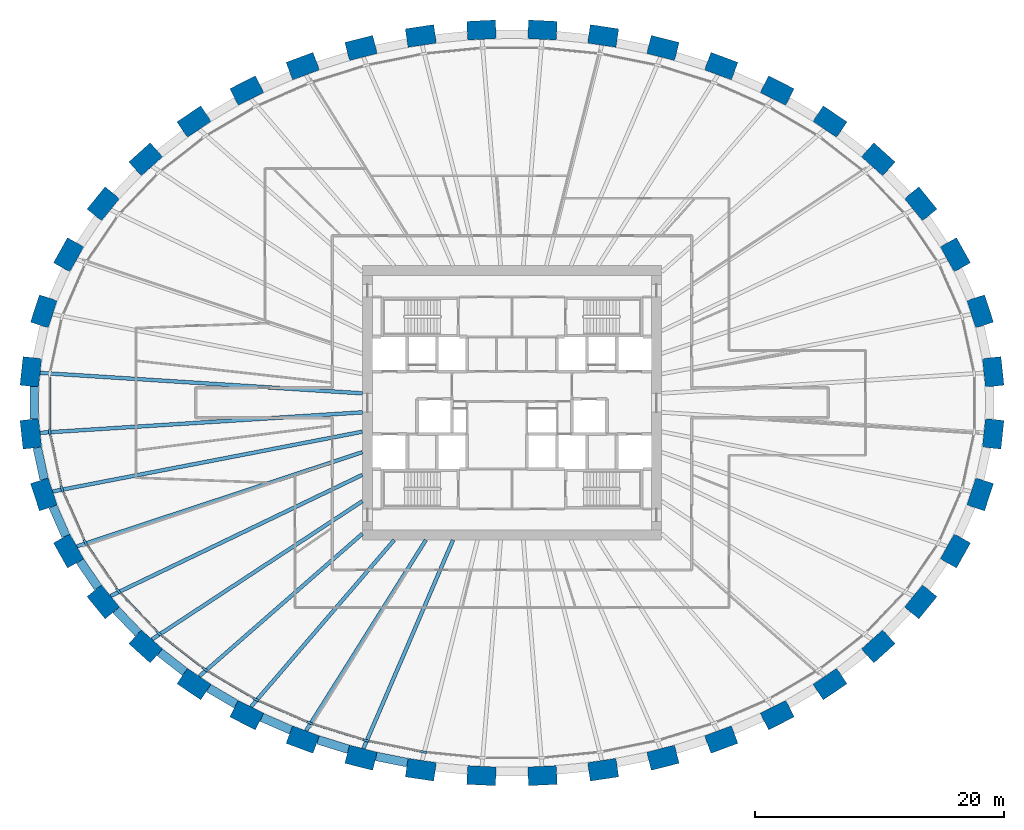
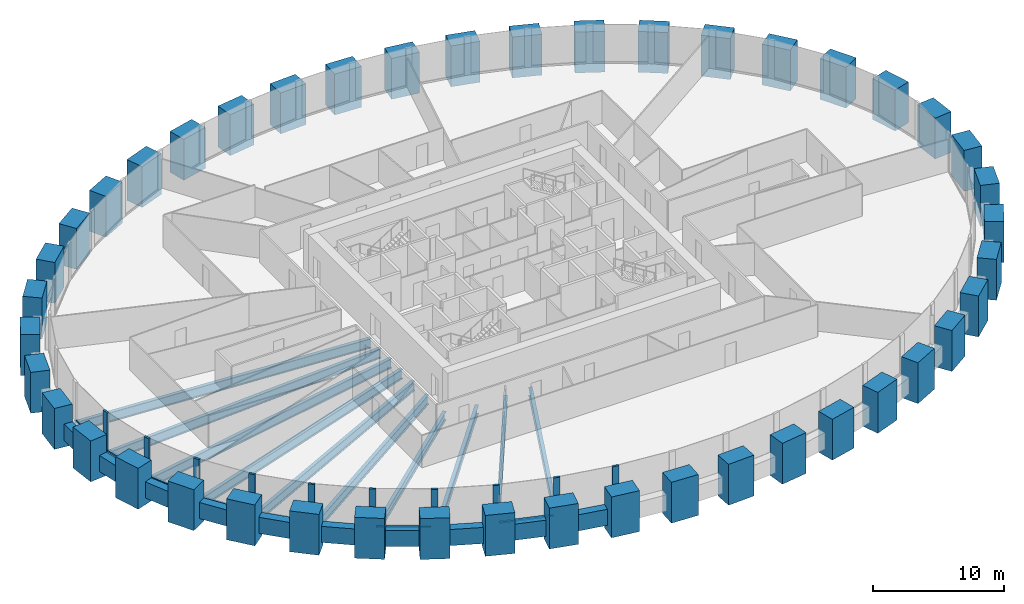
# One storey, part 1 of 11: 44 columns, 20 beams, 20 members, 1 element without a shape of its own.
"""IFC4 building model written with IfcOpenShell, lengths in metres."""

from ifc_helpers import new_model, si_unit, direction, frame, origin, origin_2d, place, context, subcontext, project, spatial, rectangle, i_section, extrude, source, transform, mapped, material, material_profile, profile_set, type_object, element, aggregate, save


model = new_model("IFC4")

# Units and contexts
model_context = context("Model", 3, precision=1e-05, world=origin(), true_north=direction((0.0, 1.0)))
body_context = subcontext(model_context, "Body", "Model", "MODEL_VIEW")
ifc_project = project(units=[si_unit("LENGTHUNIT", "METRE"), si_unit("AREAUNIT", "SQUARE_METRE"), si_unit("VOLUMEUNIT", "CUBIC_METRE"), si_unit("PLANEANGLEUNIT", "RADIAN"), si_unit("MASSUNIT", "GRAM", prefix="KILO")], contexts=[model_context])

# Site, building, storey
site_placement = place(None, origin())
site = spatial("IfcSite", under=ifc_project, at=site_placement, CompositionType="ELEMENT")
building_placement = place(site_placement, origin())
building = spatial("IfcBuilding", under=site, at=building_placement, Name="Embergate Tower", CompositionType="ELEMENT")
storey_placement = place(building_placement, frame((0.0, 0.0, 143.699951171875)))
storey = spatial("IfcBuildingStorey", under=building, at=storey_placement, Name="L31", CompositionType="ELEMENT", Elevation=143.699951171875)

# Columns
ifc_material_1 = material(Name="Concrete C70", Category="concrete")
ifc_material_profile_1 = material_profile(ifc_material_1, rectangle(XDim=1.5, YDim=2.300048828125, at=origin_2d()), Name="RC 1500x2300")
ifc_profile_set_1 = profile_set([ifc_material_profile_1], Name="Concrete C70")
column_type = type_object("IfcColumnType", Name="Ring column RC 1500x2300 C70", PredefinedType="COLUMN", material=ifc_profile_set_1)
shared_shape_1 = source(origin(), body_context, "Body", "SweptSolid", [
    extrude(rectangle(XDim=1.5, YDim=2.300048828125, at=origin_2d()), origin(), (0.0, 0.0, 1.0), 3.800048828125),
])
for number, where, z_axis, x_axis, name in (
    (1, (38.580078125, 2.48291015625, -1.39990234375), (0.0, 0.0, 1.0), (0.99428589498, 0.106749983816, 0.0), "COL-L31-00"),
    (2, (37.535888671875, 7.3359375, -1.39990234375), (0.0, 0.0, 1.0), (0.950754033697, 0.309946394413, 0.0), "COL-L31-01"),
    (3, (35.547119140625, 11.8720703125, -1.39990234375), (0.0, 0.0, 1.0), (0.873491969053, 0.486838556403, 0.0), "COL-L31-02"),
    (4, (32.76904296875, 15.95703125, -1.39990234375), (0.0, 0.0, 1.0), (0.775914301615, 0.630838328377, 0.0), "COL-L31-03"),
    (5, (29.367919921875, 19.52294921875, -1.39990234375), (0.0, 0.0, 1.0), (0.669208424634, 0.74307475021, 0.0), "COL-L31-04"),
    (6, (25.492919921875, 22.548095703125, -1.39990234375), (0.0, 0.0, 1.0), (0.560393279442, 0.828226643109, 0.0), "COL-L31-05"),
    (7, (21.263916015625, 25.034912109375, -1.39990234375), (0.0, 0.0, 1.0), (0.452994952881, 0.891513080478, 0.0), "COL-L31-06"),
    (8, (16.77490234375, 26.9970703125, -1.39990234375), (0.0, 0.0, 1.0), (0.348343015724, 0.93736713373, 0.0), "COL-L31-07"),
    (9, (12.10302734375, 28.452880859375, -1.39990234375), (0.0, 0.0, 1.0), (0.246491603437, 0.969144926951, 0.0), "COL-L31-08"),
    (10, (7.30810546875, 29.4140625, -1.39990234375), (0.0, 0.0, 1.0), (0.146929011949, 0.989147039346, 0.0), "COL-L31-09"),
    (11, (2.444091796875, 29.89208984375, -1.39990234375), (0.0, 0.0, 1.0), (0.048814904854, 0.998807841912, 0.0), "COL-L31-10"),
    (12, (-2.444091796875, 29.89208984375, -1.39990234375), (0.0, 0.0, 1.0), (-0.048814904854, 0.998807841912, 0.0), "COL-L31-11"),
    (13, (-7.30810546875, 29.4140625, -1.39990234375), (0.0, 0.0, 1.0), (-0.146929011949, 0.989147039346, 0.0), "COL-L31-12"),
    (14, (-12.10302734375, 28.452880859375, -1.39990234375), (0.0, 0.0, 1.0), (-0.246491603437, 0.969144926951, 0.0), "COL-L31-13"),
    (15, (-16.77490234375, 26.9970703125, -1.39990234375), (0.0, 0.0, 1.0), (-0.348343015724, 0.93736713373, 0.0), "COL-L31-14"),
    (16, (-21.263916015625, 25.034912109375, -1.39990234375), (0.0, 0.0, 1.0), (-0.452994952881, 0.891513080478, 0.0), "COL-L31-15"),
    (17, (-25.492919921875, 22.548095703125, -1.39990234375), (0.0, 0.0, 1.0), (-0.560393279442, 0.828226643109, 0.0), "COL-L31-16"),
    (18, (-29.367919921875, 19.52294921875, -1.39990234375), (0.0, 0.0, 1.0), (-0.669208424634, 0.74307475021, 0.0), "COL-L31-17"),
    (19, (-32.76904296875, 15.95703125, -1.39990234375), (0.0, 0.0, 1.0), (-0.775914301615, 0.630838328377, 0.0), "COL-L31-18"),
    (20, (-35.547119140625, 11.8720703125, -1.39990234375), (0.0, 0.0, 1.0), (-0.873491969053, 0.486838556403, 0.0), "COL-L31-19"),
    (21, (-37.535888671875, 7.3359375, -1.39990234375), (0.0, 0.0, 1.0), (-0.950754033697, 0.309946394413, 0.0), "COL-L31-20"),
    (22, (-38.580078125, 2.48291015625, -1.39990234375), (0.0, 0.0, 1.0), (-0.99428589498, 0.106749983816, 0.0), "COL-L31-21"),
    (23, (-38.580078125, -2.48291015625, -1.39990234375), (0.0, 0.0, 1.0), (-0.99428589498, -0.106749983816, 0.0), "COL-L31-22"),
    (24, (-37.535888671875, -7.3359375, -1.39990234375), (0.0, 0.0, 1.0), (-0.950754033697, -0.309946394413, 0.0), "COL-L31-23"),
    (25, (-35.547119140625, -11.8720703125, -1.39990234375), (0.0, 0.0, 1.0), (-0.873491969053, -0.486838556403, 0.0), "COL-L31-24"),
    (26, (-32.76904296875, -15.95703125, -1.39990234375), (0.0, 0.0, 1.0), (-0.775914301615, -0.630838328377, 0.0), "COL-L31-25"),
    (27, (-29.367919921875, -19.52294921875, -1.39990234375), (0.0, 0.0, 1.0), (-0.669208424634, -0.74307475021, 0.0), "COL-L31-26"),
    (28, (-25.492919921875, -22.548095703125, -1.39990234375), (0.0, 0.0, 1.0), (-0.560393279442, -0.828226643109, 0.0), "COL-L31-27"),
    (29, (-21.263916015625, -25.034912109375, -1.39990234375), (0.0, 0.0, 1.0), (-0.452994952881, -0.891513080478, 0.0), "COL-L31-28"),
    (30, (-16.77490234375, -26.9970703125, -1.39990234375), (0.0, 0.0, 1.0), (-0.348343015724, -0.93736713373, 0.0), "COL-L31-29"),
    (31, (-12.10302734375, -28.452880859375, -1.39990234375), (0.0, 0.0, 1.0), (-0.246491603437, -0.969144926951, 0.0), "COL-L31-30"),
    (32, (-7.30810546875, -29.4140625, -1.39990234375), (0.0, 0.0, 1.0), (-0.146929011949, -0.989147039346, 0.0), "COL-L31-31"),
    (33, (-2.444091796875, -29.89208984375, -1.39990234375), (0.0, 0.0, 1.0), (-0.048814904854, -0.998807841912, 0.0), "COL-L31-32"),
    (34, (2.444091796875, -29.89208984375, -1.39990234375), (0.0, 0.0, 1.0), (0.048814904854, -0.998807841912, 0.0), "COL-L31-33"),
    (35, (7.30810546875, -29.4140625, -1.39990234375), (0.0, 0.0, 1.0), (0.146929011949, -0.989147039346, 0.0), "COL-L31-34"),
    (36, (12.10302734375, -28.452880859375, -1.39990234375), (0.0, 0.0, 1.0), (0.246491603437, -0.969144926951, 0.0), "COL-L31-35"),
    (37, (16.77490234375, -26.9970703125, -1.39990234375), (0.0, 0.0, 1.0), (0.348343015724, -0.93736713373, 0.0), "COL-L31-36"),
    (38, (21.263916015625, -25.034912109375, -1.39990234375), (0.0, 0.0, 1.0), (0.452994952881, -0.891513080478, 0.0), "COL-L31-37"),
    (39, (25.492919921875, -22.548095703125, -1.39990234375), (0.0, 0.0, 1.0), (0.560393279442, -0.828226643109, 0.0), "COL-L31-38"),
    (40, (29.367919921875, -19.52294921875, -1.39990234375), (0.0, 0.0, 1.0), (0.669208424634, -0.74307475021, 0.0), "COL-L31-39"),
    (41, (32.76904296875, -15.95703125, -1.39990234375), (0.0, 0.0, 1.0), (0.775914301615, -0.630838328377, 0.0), "COL-L31-40"),
    (42, (35.547119140625, -11.8720703125, -1.39990234375), (0.0, 0.0, 1.0), (0.873491969053, -0.486838556403, 0.0), "COL-L31-41"),
    (43, (37.535888671875, -7.3359375, -1.39990234375), (0.0, 0.0, 1.0), (0.950754033697, -0.309946394413, 0.0), "COL-L31-42"),
    (44, (38.580078125, -2.48291015625, -1.39990234375), (0.0, 0.0, 1.0), (0.99428589498, -0.106749983816, 0.0), "COL-L31-43"),
):
    element("IfcColumn", number, at=place(storey_placement, frame(where, z_axis=z_axis, x_axis=x_axis)), inside=storey, type_object=column_type, Name=name, PredefinedType="COLUMN", context=body_context, shape_type="MappedRepresentation", body=[
        mapped(shared_shape_1, transform((0.0, 0.0, 0.0))),
    ])

# Beams
ifc_material_profile_2 = material_profile(ifc_material_1, rectangle(XDim=0.699951171875, YDim=1.5, at=origin_2d()), Name="RC 700x1500")
ifc_profile_set_2 = profile_set([ifc_material_profile_2], Name="Concrete C70")
beam_type_1 = type_object("IfcBeamType", Name="Spandrel beam RC 700x1500 C70", PredefinedType="BEAM", material=ifc_profile_set_2)
shared_shape_2 = source(origin(), body_context, "Body", "SweptSolid", [
    extrude(rectangle(XDim=0.699951171875, YDim=1.5, at=origin_2d()), origin(), (0.0, 0.0, 1.0), 2.59423828125),
])
for number, where, z_axis, x_axis, name in (
    (45, (-38.303955078125, 1.297119140625, 0.0), (0.0, -1.0, 0.0), (1.0, 0.0, 0.0), "SPN-L31-21"),
    (46, (-38.06103515625, -3.583984375, 0.0), (0.210518717987, -0.977589826756, 0.0), (0.977589826756, 0.210518717987, 0.0), "SPN-L31-22"),
):
    element("IfcBeam", number, at=place(storey_placement, frame(where, z_axis=z_axis, x_axis=x_axis)), inside=storey, type_object=beam_type_1, Name=name, PredefinedType="BEAM", context=body_context, shape_type="MappedRepresentation", body=[
        mapped(shared_shape_2, transform((0.0, 0.0, 0.0))),
    ])
shared_shape_3 = source(origin(), body_context, "Body", "SweptSolid", [
    extrude(rectangle(XDim=0.699951171875, YDim=1.5, at=origin_2d()), origin(), (0.0, 0.0, 1.0), 2.5888671875),
])
beam_1_placement = place(storey_placement, frame((-36.80810546875, -8.30810546875, 0.0), z_axis=(0.401723931702, -0.915760821775, 0.0), x_axis=(0.915760821775, 0.401723931702, 0.0)))
element("IfcBeam", 47, at=beam_1_placement, inside=storey, type_object=beam_type_1, Name="SPN-L31-23", PredefinedType="BEAM", context=body_context, shape_type="MappedRepresentation", body=[
    mapped(shared_shape_3, transform((0.0, 0.0, 0.0))),
])
shared_shape_4 = source(origin(), body_context, "Body", "SweptSolid", [
    extrude(rectangle(XDim=0.699951171875, YDim=1.5, at=origin_2d()), origin(), (0.0, 0.0, 1.0), 2.5791015625),
])
beam_2_placement = place(storey_placement, frame((-34.636962890625, -12.680908203125, 0.0), z_axis=(0.562170202136, -0.82702156189, 0.0), x_axis=(0.82702156189, 0.562170202136, 0.0)))
element("IfcBeam", 48, at=beam_2_placement, inside=storey, type_object=beam_type_1, Name="SPN-L31-24", PredefinedType="BEAM", context=body_context, shape_type="MappedRepresentation", body=[
    mapped(shared_shape_4, transform((0.0, 0.0, 0.0))),
])
shared_shape_5 = source(origin(), body_context, "Body", "SweptSolid", [
    extrude(rectangle(XDim=0.699951171875, YDim=1.5, at=origin_2d()), origin(), (0.0, 0.0, 1.0), 2.574462890625),
])
beam_3_placement = place(storey_placement, frame((-31.740966796875, -16.60302734375, 0.0), z_axis=(0.690171205001, -0.72364612055, 0.0), x_axis=(0.72364612055, 0.690171205001, 0.0)))
element("IfcBeam", 49, at=beam_3_placement, inside=storey, type_object=beam_type_1, Name="SPN-L31-25", PredefinedType="BEAM", context=body_context, shape_type="MappedRepresentation", body=[
    mapped(shared_shape_5, transform((0.0, 0.0, 0.0))),
])
shared_shape_6 = source(origin(), body_context, "Body", "SweptSolid", [
    extrude(rectangle(XDim=0.699951171875, YDim=1.5, at=origin_2d()), origin(), (0.0, 0.0, 1.0), 2.56689453125),
])
beam_4_placement = place(storey_placement, frame((-28.24609375, -19.9951171875, 0.0), z_axis=(0.788172869351, -0.615453920305, 0.0), x_axis=(0.615453920305, 0.788172869351, 0.0)))
element("IfcBeam", 50, at=beam_4_placement, inside=storey, type_object=beam_type_1, Name="SPN-L31-26", PredefinedType="BEAM", context=body_context, shape_type="MappedRepresentation", body=[
    mapped(shared_shape_6, transform((0.0, 0.0, 0.0))),
])
shared_shape_7 = source(origin(), body_context, "Body", "SweptSolid", [
    extrude(rectangle(XDim=0.699951171875, YDim=1.5, at=origin_2d()), origin(), (0.0, 0.0, 1.0), 2.561279296875),
])
beam_5_placement = place(storey_placement, frame((-24.321044921875, -22.867919921875, 0.0), z_axis=(0.862059156479, -0.506807666409, 0.0), x_axis=(0.506807666409, 0.862059156479, 0.0)))
element("IfcBeam", 51, at=beam_5_placement, inside=storey, type_object=beam_type_1, Name="SPN-L31-27", PredefinedType="BEAM", context=body_context, shape_type="MappedRepresentation", body=[
    mapped(shared_shape_7, transform((0.0, 0.0, 0.0))),
])
shared_shape_8 = source(origin(), body_context, "Body", "SweptSolid", [
    extrude(rectangle(XDim=0.699951171875, YDim=1.5, at=origin_2d()), origin(), (0.0, 0.0, 1.0), 2.558837890625),
])
beam_6_placement = place(storey_placement, frame((-20.06396484375, -25.2119140625, 0.0), z_axis=(0.916408972809, -0.40024316928, 0.0), x_axis=(0.40024316928, 0.916408972809, 0.0)))
element("IfcBeam", 52, at=beam_6_placement, inside=storey, type_object=beam_type_1, Name="SPN-L31-28", PredefinedType="BEAM", context=body_context, shape_type="MappedRepresentation", body=[
    mapped(shared_shape_8, transform((0.0, 0.0, 0.0))),
])
shared_shape_9 = source(origin(), body_context, "Body", "SweptSolid", [
    extrude(rectangle(XDim=0.699951171875, YDim=1.5, at=origin_2d()), origin(), (0.0, 0.0, 1.0), 2.5537109375),
])
beam_7_placement = place(storey_placement, frame((-15.556884765625, -27.02099609375, 0.0), z_axis=(0.954687282826, -0.297610806273, 0.0), x_axis=(0.297610806273, 0.954687282826, 0.0)))
element("IfcBeam", 53, at=beam_7_placement, inside=storey, type_object=beam_type_1, Name="SPN-L31-29", PredefinedType="BEAM", context=body_context, shape_type="MappedRepresentation", body=[
    mapped(shared_shape_9, transform((0.0, 0.0, 0.0))),
])
shared_shape_10 = source(origin(), body_context, "Body", "SweptSolid", [
    extrude(rectangle(XDim=0.699951171875, YDim=1.5, at=origin_2d()), origin(), (0.0, 0.0, 1.0), 2.552734375),
])
beam_8_placement = place(storey_placement, frame((-10.889892578125, -28.35009765625, 0.0), z_axis=(0.980477546037, -0.196631080243, 0.0), x_axis=(0.196631080243, 0.980477546037, 0.0)))
element("IfcBeam", 54, at=beam_8_placement, inside=storey, type_object=beam_type_1, Name="SPN-L31-30", PredefinedType="BEAM", context=body_context, shape_type="MappedRepresentation", body=[
    mapped(shared_shape_10, transform((0.0, 0.0, 0.0))),
])
ifc_material_2 = material(Name="Steel Q355B", Category="steel")
ifc_material_profile_3 = material_profile(ifc_material_2, i_section(OverallWidth=0.300048828125, OverallDepth=0.89990234375, WebThickness=0.01611328125, FlangeThickness=0.028076171875, FilletRadius=0.028076171875, at=origin_2d()), Name="HN 900x300x16x28")
ifc_profile_set_3 = profile_set([ifc_material_profile_3], Name="Steel Q355 grade B")
beam_type_2 = type_object("IfcBeamType", Name="Radial girder HN 900x300x16x28", PredefinedType="BEAM", material=ifc_profile_set_3)
shared_shape_11 = source(origin(), body_context, "Body", "SweptSolid", [
    extrude(i_section(OverallWidth=0.300048828125, OverallDepth=0.89990234375, WebThickness=0.01611328125, FlangeThickness=0.028076171875, FilletRadius=0.028076171875, at=origin_2d()), origin(), (0.0, 0.0, 1.0), 25.885986328125),
])
for number, where, z_axis, x_axis, name in (
    (55, (-37.833984375, 2.403076171875, -0.64990234375), (0.997988350438, -0.063397574012, 0.0), (0.063397574012, 0.997988350438, 0.0), "GIR-L31-21"),
    (56, (-37.833984375, -2.403076171875, -0.64990234375), (0.997988350438, 0.063397574012, 0.0), (-0.063397574012, 0.997988350438, 0.0), "GIR-L31-22"),
):
    element("IfcBeam", number, at=place(storey_placement, frame(where, z_axis=z_axis, x_axis=x_axis)), inside=storey, type_object=beam_type_2, Name=name, PredefinedType="BEAM", context=body_context, shape_type="MappedRepresentation", body=[
        mapped(shared_shape_11, transform((0.0, 0.0, 0.0))),
    ])
shared_shape_12 = source(origin(), body_context, "Body", "SweptSolid", [
    extrude(i_section(OverallWidth=0.300048828125, OverallDepth=0.89990234375, WebThickness=0.01611328125, FlangeThickness=0.028076171875, FilletRadius=0.028076171875, at=origin_2d()), origin(), (0.0, 0.0, 1.0), 25.28076171875),
])
beam_9_placement = place(storey_placement, frame((-36.822998046875, -7.10400390625, -0.64990234375), z_axis=(0.981893236668, 0.189435138731, 0.0), x_axis=(-0.189435138731, 0.981893236668, 0.0)))
element("IfcBeam", 57, at=beam_9_placement, inside=storey, type_object=beam_type_2, Name="GIR-L31-23", PredefinedType="BEAM", context=body_context, shape_type="MappedRepresentation", body=[
    mapped(shared_shape_12, transform((0.0, 0.0, 0.0))),
])
shared_shape_13 = source(origin(), body_context, "Body", "SweptSolid", [
    extrude(i_section(OverallWidth=0.300048828125, OverallDepth=0.89990234375, WebThickness=0.01611328125, FlangeThickness=0.028076171875, FilletRadius=0.028076171875, at=origin_2d()), origin(), (0.0, 0.0, 1.0), 24.10498046875),
])
beam_10_placement = place(storey_placement, frame((-34.89208984375, -11.507080078125, -0.64990234375), z_axis=(0.949682225523, 0.313215054756, 0.0), x_axis=(-0.313215054756, 0.949682225523, 0.0)))
element("IfcBeam", 58, at=beam_10_placement, inside=storey, type_object=beam_type_2, Name="GIR-L31-24", PredefinedType="BEAM", context=body_context, shape_type="MappedRepresentation", body=[
    mapped(shared_shape_13, transform((0.0, 0.0, 0.0))),
])
shared_shape_14 = source(origin(), body_context, "Body", "SweptSolid", [
    extrude(i_section(OverallWidth=0.300048828125, OverallDepth=0.89990234375, WebThickness=0.01611328125, FlangeThickness=0.028076171875, FilletRadius=0.028076171875, at=origin_2d()), origin(), (0.0, 0.0, 1.0), 22.4013671875),
])
beam_11_placement = place(storey_placement, frame((-32.18701171875, -15.48388671875, -0.64990234375), z_axis=(0.901154023355, 0.433499049815, 0.0), x_axis=(-0.433499049815, 0.901154023355, 0.0)))
element("IfcBeam", 59, at=beam_11_placement, inside=storey, type_object=beam_type_2, Name="GIR-L31-25", PredefinedType="BEAM", context=body_context, shape_type="MappedRepresentation", body=[
    mapped(shared_shape_14, transform((0.0, 0.0, 0.0))),
])
shared_shape_15 = source(origin(), body_context, "Body", "SweptSolid", [
    extrude(i_section(OverallWidth=0.300048828125, OverallDepth=0.89990234375, WebThickness=0.01611328125, FlangeThickness=0.028076171875, FilletRadius=0.028076171875, at=origin_2d()), origin(), (0.0, 0.0, 1.0), 20.180908203125),
])
beam_12_placement = place(storey_placement, frame((-28.865966796875, -18.966064453125, -0.64990234375), z_axis=(0.835735460255, 0.549132261365, 0.0), x_axis=(-0.549132261365, 0.835735460255, 0.0)))
element("IfcBeam", 60, at=beam_12_placement, inside=storey, type_object=beam_type_2, Name="GIR-L31-26", PredefinedType="BEAM", context=body_context, shape_type="MappedRepresentation", body=[
    mapped(shared_shape_15, transform((0.0, 0.0, 0.0))),
])
ifc_material_profile_4 = material_profile(ifc_material_2, i_section(OverallWidth=0.300048828125, OverallDepth=0.800048828125, WebThickness=0.013916015625, FlangeThickness=0.02587890625, FilletRadius=0.028076171875, at=origin_2d()), Name="HN 800x300x14x26")
ifc_profile_set_4 = profile_set([ifc_material_profile_4], Name="Steel Q355 grade B")
beam_type_3 = type_object("IfcBeamType", Name="Radial girder HN 800x300x14x26", PredefinedType="BEAM", material=ifc_profile_set_4)
shared_shape_16 = source(origin(), body_context, "Body", "SweptSolid", [
    extrude(i_section(OverallWidth=0.300048828125, OverallDepth=0.800048828125, WebThickness=0.013916015625, FlangeThickness=0.02587890625, FilletRadius=0.028076171875, at=origin_2d()), origin(), (0.0, 0.0, 1.0), 17.3671875),
])
beam_13_placement = place(storey_placement, frame((-25.072998046875, -21.927001953125, -0.599853515625), z_axis=(0.752741256854, 0.658316489411, 0.0), x_axis=(-0.658316489411, 0.752741256854, 0.0)))
element("IfcBeam", 61, at=beam_13_placement, inside=storey, type_object=beam_type_3, Name="GIR-L31-27", PredefinedType="BEAM", context=body_context, shape_type="MappedRepresentation", body=[
    mapped(shared_shape_16, transform((0.0, 0.0, 0.0))),
])
shared_shape_17 = source(origin(), body_context, "Body", "SweptSolid", [
    extrude(i_section(OverallWidth=0.300048828125, OverallDepth=0.800048828125, WebThickness=0.013916015625, FlangeThickness=0.02587890625, FilletRadius=0.028076171875, at=origin_2d()), origin(), (0.0, 0.0, 1.0), 17.617919921875),
])
beam_14_placement = place(storey_placement, frame((-20.924072265625, -24.365966796875, -0.599853515625), z_axis=(0.651494074711, 0.75865372247, 0.0), x_axis=(-0.75865372247, 0.651494074711, 0.0)))
element("IfcBeam", 62, at=beam_14_placement, inside=storey, type_object=beam_type_3, Name="GIR-L31-28", PredefinedType="BEAM", context=body_context, shape_type="MappedRepresentation", body=[
    mapped(shared_shape_17, transform((0.0, 0.0, 0.0))),
])
shared_shape_18 = source(origin(), body_context, "Body", "SweptSolid", [
    extrude(i_section(OverallWidth=0.300048828125, OverallDepth=0.800048828125, WebThickness=0.013916015625, FlangeThickness=0.02587890625, FilletRadius=0.028076171875, at=origin_2d()), origin(), (0.0, 0.0, 1.0), 18.060546875),
])
beam_15_placement = place(storey_placement, frame((-16.513916015625, -26.2939453125, -0.599853515625), z_axis=(0.531878610528, 0.846820608903, 0.0), x_axis=(-0.846820608903, 0.531878610528, 0.0)))
element("IfcBeam", 63, at=beam_15_placement, inside=storey, type_object=beam_type_3, Name="GIR-L31-29", PredefinedType="BEAM", context=body_context, shape_type="MappedRepresentation", body=[
    mapped(shared_shape_18, transform((0.0, 0.0, 0.0))),
])
shared_shape_19 = source(origin(), body_context, "Body", "SweptSolid", [
    extrude(i_section(OverallWidth=0.300048828125, OverallDepth=0.800048828125, WebThickness=0.013916015625, FlangeThickness=0.02587890625, FilletRadius=0.028076171875, at=origin_2d()), origin(), (0.0, 0.0, 1.0), 18.2060546875),
])
beam_16_placement = place(storey_placement, frame((-11.91796875, -27.72607421875, -0.599853515625), z_axis=(0.394922496681, 0.918714439647, 0.0), x_axis=(-0.918714439647, 0.394922496681, 0.0)))
element("IfcBeam", 64, at=beam_16_placement, inside=storey, type_object=beam_type_3, Name="GIR-L31-30", PredefinedType="BEAM", context=body_context, shape_type="MappedRepresentation", body=[
    mapped(shared_shape_19, transform((0.0, 0.0, 0.0))),
])

# Curtain wall, members
ifc_material_3 = material(Name="Aluminium and glass", Category="aluminium")
curtain_wall_type = type_object("IfcCurtainWallType", Name="Recessed office glazing", PredefinedType="NOTDEFINED", material=ifc_material_3)
curtain_wall_placement = place(storey_placement, origin())
curtain_wall = element("IfcCurtainWall", 65, at=curtain_wall_placement, inside=storey, type_object=curtain_wall_type, Name="Recessed office glazing ring", ObjectType="RECESSED OFFICE GLAZING", PredefinedType="USERDEFINED")
ifc_material_4 = material(Name="Aluminium, thermally broken", Category="aluminium")
ifc_material_profile_5 = material_profile(ifc_material_4, rectangle(XDim=0.179931640625, YDim=0.52001953125, at=origin_2d()), Name="AL 520x180")
ifc_profile_set_5 = profile_set([ifc_material_profile_5], Name="Aluminium, thermally broken")
member_type_1 = type_object("IfcMemberType", Name="Office mullion", PredefinedType="MULLION", material=ifc_profile_set_5)
shared_shape_20 = source(origin(), body_context, "Body", "SweptSolid", [
    extrude(rectangle(XDim=0.179931640625, YDim=0.52001953125, at=origin_2d()), origin(), (0.0, 0.0, 1.0), 3.60009765625),
])
member_1_placement = place(storey_placement, frame((-37.064697265625, -2.33740234375, 0.0), z_axis=(0.0, 0.0, 1.0), x_axis=(0.994384770038, 0.105824992874, 0.0)))
member_1 = element("IfcMember", 66, at=member_1_placement, type_object=member_type_1, Name="CW mullion 23", PredefinedType="MULLION", context=body_context, shape_type="MappedRepresentation", body=[
    mapped(shared_shape_20, transform((0.0, 0.0, 0.0))),
])
member_2_placement = place(storey_placement, frame((-36.08056640625, -6.910400390625, 0.0), z_axis=(0.0, 0.0, 1.0), x_axis=(0.951496187099, 0.307660536853, 0.0)))
member_2 = element("IfcMember", 67, at=member_2_placement, type_object=member_type_1, Name="CW mullion 24", PredefinedType="MULLION", context=body_context, shape_type="MappedRepresentation", body=[
    mapped(shared_shape_20, transform((0.0, 0.0, 0.0))),
])
member_3_placement = place(storey_placement, frame((-34.198974609375, -11.200439453125, 0.0), z_axis=(0.0, 0.0, 1.0), x_axis=(0.874998516019, 0.484125600402, 0.0)))
member_3 = element("IfcMember", 68, at=member_3_placement, type_object=member_type_1, Name="CW mullion 25", PredefinedType="MULLION", context=body_context, shape_type="MappedRepresentation", body=[
    mapped(shared_shape_20, transform((0.0, 0.0, 0.0))),
])
member_4_placement = place(storey_placement, frame((-31.5595703125, -15.08154296875, 0.0), z_axis=(0.0, 0.0, 1.0), x_axis=(0.777867080309, 0.62842883875, 0.0)))
member_4 = element("IfcMember", 69, at=member_4_placement, type_object=member_type_1, Name="CW mullion 26", PredefinedType="MULLION", context=body_context, shape_type="MappedRepresentation", body=[
    mapped(shared_shape_20, transform((0.0, 0.0, 0.0))),
])
member_5_placement = place(storey_placement, frame((-28.314453125, -18.484375, 0.0), z_axis=(0.0, 0.0, 1.0), x_axis=(0.671220065284, 0.741258135847, 0.0)))
member_5 = element("IfcMember", 70, at=member_5_placement, type_object=member_type_1, Name="CW mullion 27", PredefinedType="MULLION", context=body_context, shape_type="MappedRepresentation", body=[
    mapped(shared_shape_20, transform((0.0, 0.0, 0.0))),
])
member_6_placement = place(storey_placement, frame((-24.6015625, -21.382080078125, 0.0), z_axis=(0.0, 0.0, 1.0), x_axis=(0.562208958301, 0.826995215951, 0.0)))
member_6 = element("IfcMember", 71, at=member_6_placement, type_object=member_type_1, Name="CW mullion 28", PredefinedType="MULLION", context=body_context, shape_type="MappedRepresentation", body=[
    mapped(shared_shape_20, transform((0.0, 0.0, 0.0))),
])
member_7_placement = place(storey_placement, frame((-20.536376953125, -23.772216796875, 0.0), z_axis=(0.0, 0.0, 1.0), x_axis=(0.454503607328, 0.89074489666, 0.0)))
member_7 = element("IfcMember", 72, at=member_7_placement, type_object=member_type_1, Name="CW mullion 29", PredefinedType="MULLION", context=body_context, shape_type="MappedRepresentation", body=[
    mapped(shared_shape_20, transform((0.0, 0.0, 0.0))),
])
member_8_placement = place(storey_placement, frame((-16.21142578125, -25.6630859375, 0.0), z_axis=(0.0, 0.0, 1.0), x_axis=(0.349496141799, 0.936937803094, 0.0)))
member_8 = element("IfcMember", 73, at=member_8_placement, type_object=member_type_1, Name="CW mullion 30", PredefinedType="MULLION", context=body_context, shape_type="MappedRepresentation", body=[
    mapped(shared_shape_20, transform((0.0, 0.0, 0.0))),
])
member_9_placement = place(storey_placement, frame((-11.70166015625, -27.067626953125, 0.0), z_axis=(0.0, 0.0, 1.0), x_axis=(0.24730680803, 0.968937223303, 0.0)))
member_9 = element("IfcMember", 74, at=member_9_placement, type_object=member_type_1, Name="CW mullion 31", PredefinedType="MULLION", context=body_context, shape_type="MappedRepresentation", body=[
    mapped(shared_shape_20, transform((0.0, 0.0, 0.0))),
])
member_10_placement = place(storey_placement, frame((-7.068115234375, -27.996826171875, 0.0), z_axis=(0.0, 0.0, 1.0), x_axis=(0.147408930294, 0.989075632735, 0.0)))
member_10 = element("IfcMember", 75, at=member_10_placement, type_object=member_type_1, Name="CW mullion 32", PredefinedType="MULLION", context=body_context, shape_type="MappedRepresentation", body=[
    mapped(shared_shape_20, transform((0.0, 0.0, 0.0))),
])
ifc_material_profile_6 = material_profile(ifc_material_4, rectangle(XDim=0.179931640625, YDim=0.14990234375, at=origin_2d()), Name="AL 150x180")
ifc_profile_set_6 = profile_set([ifc_material_profile_6], Name="Aluminium, thermally broken")
member_type_2 = type_object("IfcMemberType", Name="Office sill transom", PredefinedType="USERDEFINED", material=ifc_profile_set_6)
shared_shape_21 = source(origin(), body_context, "Body", "SweptSolid", [
    extrude(rectangle(XDim=0.179931640625, YDim=0.14990234375, at=origin_2d()), origin(), (0.0, 0.0, 1.0), 4.157470703125),
])
member_11_placement = place(storey_placement, frame((-37.010009765625, -2.591796875, 0.074951171875), z_axis=(0.210403256342, -0.977614683667, 0.0), x_axis=(0.977614683667, 0.210403256342, 0.0)))
member_11 = element("IfcMember", 76, at=member_11_placement, type_object=member_type_2, Name="CW transom 23.1", ObjectType="TRANSOM", PredefinedType="USERDEFINED", context=body_context, shape_type="MappedRepresentation", body=[
    mapped(shared_shape_21, transform((0.0, 0.0, 0.0))),
])
shared_shape_22 = source(origin(), body_context, "Body", "SweptSolid", [
    extrude(rectangle(XDim=0.179931640625, YDim=0.14990234375, at=origin_2d()), origin(), (0.0, 0.0, 1.0), 4.16455078125),
])
member_12_placement = place(storey_placement, frame((-35.97607421875, -7.1484375, 0.074951171875), z_axis=(0.401624405354, -0.915804475324, 0.0), x_axis=(0.915804475324, 0.401624405354, 0.0)))
member_12 = element("IfcMember", 77, at=member_12_placement, type_object=member_type_2, Name="CW transom 24.1", ObjectType="TRANSOM", PredefinedType="USERDEFINED", context=body_context, shape_type="MappedRepresentation", body=[
    mapped(shared_shape_22, transform((0.0, 0.0, 0.0))),
])
shared_shape_23 = source(origin(), body_context, "Body", "SweptSolid", [
    extrude(rectangle(XDim=0.179931640625, YDim=0.14990234375, at=origin_2d()), origin(), (0.0, 0.0, 1.0), 4.173583984375),
])
member_13_placement = place(storey_placement, frame((-34.052734375, -11.41552734375, 0.074951171875), z_axis=(0.562330821554, -0.826912357587, 0.0), x_axis=(0.826912357587, 0.562330821554, 0.0)))
member_13 = element("IfcMember", 78, at=member_13_placement, type_object=member_type_2, Name="CW transom 25.1", ObjectType="TRANSOM", PredefinedType="USERDEFINED", context=body_context, shape_type="MappedRepresentation", body=[
    mapped(shared_shape_23, transform((0.0, 0.0, 0.0))),
])
shared_shape_24 = source(origin(), body_context, "Body", "SweptSolid", [
    extrude(rectangle(XDim=0.179931640625, YDim=0.14990234375, at=origin_2d()), origin(), (0.0, 0.0, 1.0), 4.18212890625),
])
member_14_placement = place(storey_placement, frame((-31.380126953125, -15.269775390625, 0.074951171875), z_axis=(0.69012439783, -0.723690759592, 0.0), x_axis=(0.723690759592, 0.69012439783, 0.0)))
member_14 = element("IfcMember", 79, at=member_14_placement, type_object=member_type_2, Name="CW transom 26.1", ObjectType="TRANSOM", PredefinedType="USERDEFINED", context=body_context, shape_type="MappedRepresentation", body=[
    mapped(shared_shape_24, transform((0.0, 0.0, 0.0))),
])
shared_shape_25 = source(origin(), body_context, "Body", "SweptSolid", [
    extrude(rectangle(XDim=0.179931640625, YDim=0.14990234375, at=origin_2d()), origin(), (0.0, 0.0, 1.0), 4.189697265625),
])
member_15_placement = place(storey_placement, frame((-28.109375, -18.644287109375, 0.074951171875), z_axis=(0.788299928143, -0.61529116952, 0.0), x_axis=(0.61529116952, 0.788299928143, 0.0)))
member_15 = element("IfcMember", 80, at=member_15_placement, type_object=member_type_2, Name="CW transom 27.1", ObjectType="TRANSOM", PredefinedType="USERDEFINED", context=body_context, shape_type="MappedRepresentation", body=[
    mapped(shared_shape_25, transform((0.0, 0.0, 0.0))),
])
shared_shape_26 = source(origin(), body_context, "Body", "SweptSolid", [
    extrude(rectangle(XDim=0.179931640625, YDim=0.14990234375, at=origin_2d()), origin(), (0.0, 0.0, 1.0), 4.19580078125),
])
member_16_placement = place(storey_placement, frame((-24.37744140625, -21.513916015625, 0.074951171875), z_axis=(0.8620538578, -0.506816679138, 0.0), x_axis=(0.506816679138, 0.8620538578, 0.0)))
member_16 = element("IfcMember", 81, at=member_16_placement, type_object=member_type_2, Name="CW transom 28.1", ObjectType="TRANSOM", PredefinedType="USERDEFINED", context=body_context, shape_type="MappedRepresentation", body=[
    mapped(shared_shape_26, transform((0.0, 0.0, 0.0))),
])
shared_shape_27 = source(origin(), body_context, "Body", "SweptSolid", [
    extrude(rectangle(XDim=0.179931640625, YDim=0.14990234375, at=origin_2d()), origin(), (0.0, 0.0, 1.0), 4.2001953125),
])
member_17_placement = place(storey_placement, frame((-20.298095703125, -23.876220703125, 0.074951171875), z_axis=(0.916228023799, -0.400657220583, 0.0), x_axis=(0.400657220583, 0.916228023799, 0.0)))
member_17 = element("IfcMember", 82, at=member_17_placement, type_object=member_type_2, Name="CW transom 29.1", ObjectType="TRANSOM", PredefinedType="USERDEFINED", context=body_context, shape_type="MappedRepresentation", body=[
    mapped(shared_shape_27, transform((0.0, 0.0, 0.0))),
])
shared_shape_28 = source(origin(), body_context, "Body", "SweptSolid", [
    extrude(rectangle(XDim=0.179931640625, YDim=0.14990234375, at=origin_2d()), origin(), (0.0, 0.0, 1.0), 4.203857421875),
])
member_18_placement = place(storey_placement, frame((-15.96337890625, -25.740478515625, 0.074951171875), z_axis=(0.954785361942, -0.29729600169, 0.0), x_axis=(0.29729600169, 0.954785361942, 0.0)))
member_18 = element("IfcMember", 83, at=member_18_placement, type_object=member_type_2, Name="CW transom 30.1", ObjectType="TRANSOM", PredefinedType="USERDEFINED", context=body_context, shape_type="MappedRepresentation", body=[
    mapped(shared_shape_28, transform((0.0, 0.0, 0.0))),
])
shared_shape_29 = source(origin(), body_context, "Body", "SweptSolid", [
    extrude(rectangle(XDim=0.179931640625, YDim=0.14990234375, at=origin_2d()), origin(), (0.0, 0.0, 1.0), 4.205810546875),
])
member_19_placement = place(storey_placement, frame((-11.44677734375, -27.11865234375, 0.074951171875), z_axis=(0.980471126949, -0.196663085555, 0.0), x_axis=(0.196663085555, 0.980471126949, 0.0)))
member_19 = element("IfcMember", 84, at=member_19_placement, type_object=member_type_2, Name="CW transom 31.1", ObjectType="TRANSOM", PredefinedType="USERDEFINED", context=body_context, shape_type="MappedRepresentation", body=[
    mapped(shared_shape_29, transform((0.0, 0.0, 0.0))),
])
shared_shape_30 = source(origin(), body_context, "Body", "SweptSolid", [
    extrude(rectangle(XDim=0.179931640625, YDim=0.14990234375, at=origin_2d()), origin(), (0.0, 0.0, 1.0), 4.15478515625),
])
member_20_placement = place(storey_placement, frame((-37.064697265625, 2.077392578125, 0.074951171875), z_axis=(0.0, -1.0, 0.0), x_axis=(1.0, 0.0, 0.0)))
member_20 = element("IfcMember", 85, at=member_20_placement, type_object=member_type_2, Name="CW transom 22.1", ObjectType="TRANSOM", PredefinedType="USERDEFINED", context=body_context, shape_type="MappedRepresentation", body=[
    mapped(shared_shape_30, transform((0.0, 0.0, 0.0))),
])
aggregate(curtain_wall, [member_1, member_2, member_3, member_4, member_5, member_6, member_7, member_8, member_9, member_10, member_20, member_11, member_12, member_13, member_14, member_15, member_16, member_17, member_18, member_19])

save(model, "model.ifc")
